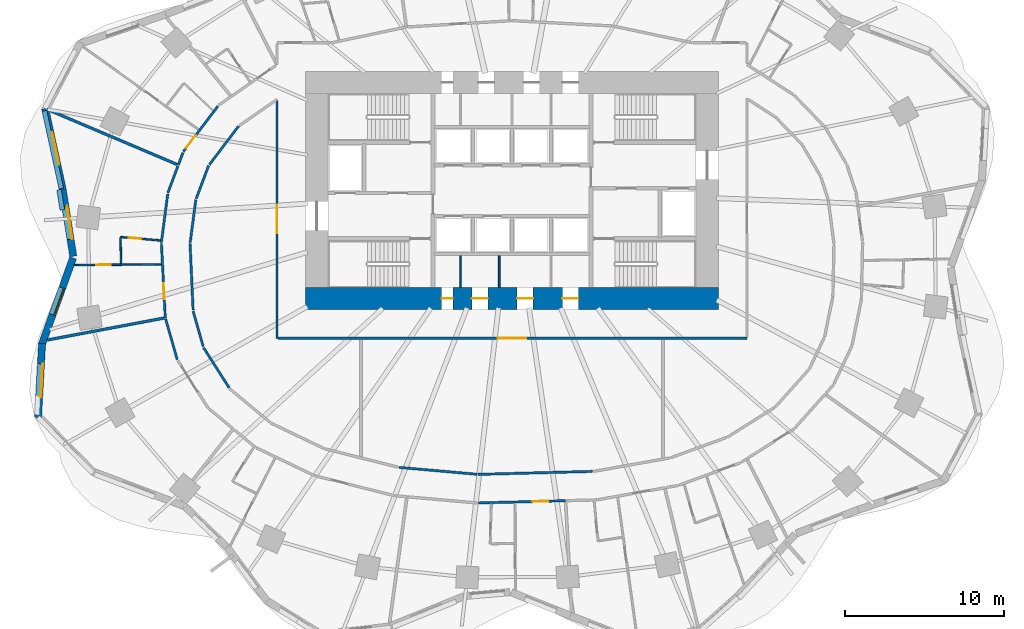
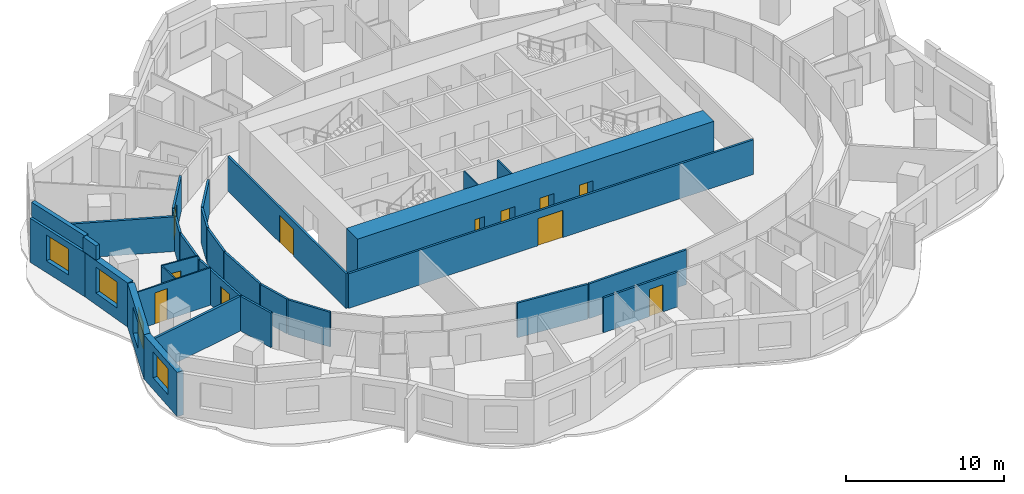
# One storey, part 4 of 11: 31 walls, 11 doors, 4 windows, 15 openings.
"""IFC4 building model written with IfcOpenShell, lengths in metres."""

from ifc_helpers import new_model, si_unit, direction, frame, frame_2d, origin, place, context, subcontext, project, spatial, rectangle, extrude, material, layer, layer_set, type_object, element, fill, save


model = new_model("IFC4")

# Units and contexts
model_context = context("Model", 3, precision=1e-05, world=origin(), true_north=direction((0.0, 1.0)))
body_context = subcontext(model_context, "Body", "Model", "MODEL_VIEW")
ifc_project = project(units=[si_unit("LENGTHUNIT", "METRE"), si_unit("AREAUNIT", "SQUARE_METRE"), si_unit("VOLUMEUNIT", "CUBIC_METRE"), si_unit("PLANEANGLEUNIT", "RADIAN"), si_unit("MASSUNIT", "GRAM", prefix="KILO")], contexts=[model_context])

# Site, building, storey
site_placement = place(None, origin())
site = spatial("IfcSite", under=ifc_project, at=site_placement, CompositionType="ELEMENT")
building_placement = place(site_placement, origin())
building = spatial("IfcBuilding", under=site, at=building_placement, Name="Rubra Terraces Tower", CompositionType="ELEMENT")
storey_placement = place(building_placement, frame((0.0, 0.0, 51.89990234375)))
storey = spatial("IfcBuildingStorey", under=building, at=storey_placement, Name="L10", CompositionType="ELEMENT", Elevation=51.89990234375)

# Walls
ifc_material_1 = material(Name="Twin plasterboard on staggered steel stud, acoustic mineral wool", Category="steel")
ifc_layer_1 = layer(ifc_material_1, 0.175048828125)
ifc_layer_set_1 = layer_set([ifc_layer_1], Name="Twin plasterboard on staggered steel stud, acoustic mineral wool")
wall_type_1 = type_object("IfcWallType", Name="ACOUSTIC PARTY WALL 175", PredefinedType="PARTITIONING", material=ifc_layer_set_1)
wall_1_placement = place(storey_placement, frame((-29.13916015625, 9.557373046875, 0.0), z_axis=(0.0, 0.0, 1.0), x_axis=(0.920652865841, -0.390382249365, 0.0)))
element("IfcWall", 1, at=wall_1_placement, inside=storey, type_object=wall_type_1, Name="PARTITION", PredefinedType="PARTITIONING", context=body_context, shape_type="SweptSolid", body=[
    extrude(rectangle(XDim=8.754150390625, YDim=0.175048828125, at=frame_2d((4.376953125, 0.0))), origin(), (0.0, 0.0, 1.0), 2.68017578125),
])
wall_2_placement = place(storey_placement, frame((-29.256591796875, -4.90966796875, 0.0), z_axis=(0.0, 0.0, 1.0), x_axis=(0.98274893872, 0.184944649677, 0.0)))
element("IfcWall", 2, at=wall_2_placement, inside=storey, type_object=wall_type_1, Name="PARTITION", PredefinedType="PARTITIONING", context=body_context, shape_type="SweptSolid", body=[
    extrude(rectangle(XDim=7.48095703125, YDim=0.175048828125, at=frame_2d((3.740478515625, 0.0))), origin(), (0.0, 0.0, 1.0), 2.68017578125),
])

# Wall, opening, window
ifc_material_2 = material(Name="Brick masonry red-brown", Category="masonry")
ifc_layer_2 = layer(ifc_material_2, 0.449951171875)
ifc_layer_set_2 = layer_set([ifc_layer_2], Name="Brick masonry red-brown")
wall_type_2 = type_object("IfcWallType", Name="Brick facade wall 450", PredefinedType="SOLIDWALL", material=ifc_layer_set_2)
wall_3_placement = place(storey_placement, frame((-29.39697265625, 9.665771484375, 0.0), z_axis=(0.0, 0.0, 1.0), x_axis=(0.211962455994, -0.977277809657, 0.0)))
wall_3 = element("IfcWall", 3, at=wall_3_placement, inside=storey, type_object=wall_type_2, Name="Facade wall L10 bay 19", PredefinedType="SOLIDWALL", context=body_context, shape_type="SweptSolid", body=[
    extrude(rectangle(XDim=5.185546875, YDim=0.449951171875, at=frame_2d((2.5927734375, 0.0))), origin(), (0.0, 0.0, 1.0), 3.400146484375),
])
opening_1_placement = place(wall_3_placement, frame((1.542724609375, 0.0, 0.89990234375)))
opening_1 = element("IfcOpeningElement", 4, at=opening_1_placement, cuts=wall_3, Name="Opening W1", PredefinedType="OPENING", context=body_context, shape_type="SweptSolid", body=[
    extrude(rectangle(XDim=2.10009765625, YDim=2.0, at=frame_2d((1.050048828125, 1.0))), frame((0.0, 0.23486328125, 0.0), z_axis=(0.0, -1.0, 0.0), x_axis=(1.0, 0.0, 0.0)), (0.0, 0.0, 1.0), 0.469970703125),
])
ifc_material_3 = material(Name="Clear glass in aluminium frame", Category="aluminium")
window_type_1 = type_object("IfcWindowType", Name="Fixed deep-set window 2100 x 2000", PartitioningType="SINGLE_PANEL", PredefinedType="WINDOW", material=ifc_material_3)
window_1_placement = place(opening_1_placement, origin())
window_1 = element("IfcWindow", 5, at=window_1_placement, inside=storey, type_object=window_type_1, Name="Window L10 bay 19", OverallHeight=2.0, OverallWidth=2.10009765625, PartitioningType="SINGLE_PANEL", PredefinedType="WINDOW", context=body_context, shape_type="SweptSolid", body=[
    extrude(rectangle(XDim=2.10009765625, YDim=2.0, at=frame_2d((1.050048828125, 1.0))), frame((0.0, 0.135009765625, 0.0), z_axis=(0.0, -1.0, 0.0), x_axis=(1.0, 0.0, 0.0)), (0.0, 0.0, 1.0), 0.06005859375),
])
fill(opening_1, window_1)

wall_4_placement = place(storey_placement, frame((-28.295654296875, 4.584228515625, 0.0), z_axis=(0.0, 0.0, 1.0), x_axis=(0.156402397796, -0.987693419014, 0.0)))
wall_4 = element("IfcWall", 6, at=wall_4_placement, inside=storey, type_object=wall_type_2, Name="Facade wall L10 bay 20", PredefinedType="SOLIDWALL", context=body_context, shape_type="SweptSolid", body=[
    extrude(rectangle(XDim=4.275634765625, YDim=0.449951171875, at=frame_2d((2.1376953125, 0.0))), origin(), (0.0, 0.0, 1.0), 3.400146484375),
])
opening_2_placement = place(wall_4_placement, frame((1.087890625, 0.0, 0.89990234375)))
opening_2 = element("IfcOpeningElement", 7, at=opening_2_placement, cuts=wall_4, Name="Opening W1", PredefinedType="OPENING", context=body_context, shape_type="SweptSolid", body=[
    extrude(rectangle(XDim=2.10009765625, YDim=2.0, at=frame_2d((1.050048828125, 1.0))), frame((0.0, 0.23486328125, 0.0), z_axis=(0.0, -1.0, 0.0), x_axis=(1.0, 0.0, 0.0)), (0.0, 0.0, 1.0), 0.469970703125),
])
window_2_placement = place(opening_2_placement, origin())
window_2 = element("IfcWindow", 8, at=window_2_placement, inside=storey, type_object=window_type_1, Name="Window L10 bay 20", OverallHeight=2.0, OverallWidth=2.10009765625, PartitioningType="SINGLE_PANEL", PredefinedType="WINDOW", context=body_context, shape_type="SweptSolid", body=[
    extrude(rectangle(XDim=2.10009765625, YDim=2.0, at=frame_2d((1.050048828125, 1.0))), frame((0.0, 0.135009765625, 0.0), z_axis=(0.0, -1.0, 0.0), x_axis=(1.0, 0.0, 0.0)), (0.0, 0.0, 1.0), 0.06005859375),
])
fill(opening_2, window_2)

wall_5_placement = place(storey_placement, frame((-27.638427734375, 0.25732421875, 0.0), z_axis=(0.0, 0.0, 1.0), x_axis=(-0.338914809068, -0.940817066275, 0.0)))
wall_5 = element("IfcWall", 9, at=wall_5_placement, inside=storey, type_object=wall_type_2, Name="Facade wall L10 bay 21", PredefinedType="SOLIDWALL", context=body_context, shape_type="SweptSolid", body=[
    extrude(rectangle(XDim=5.79736328125, YDim=0.449951171875, at=frame_2d((2.898681640625, 0.0))), origin(), (0.0, 0.0, 1.0), 3.400146484375),
])
opening_3_placement = place(wall_5_placement, frame((1.99853515625, 0.0, 0.89990234375)))
opening_3 = element("IfcOpeningElement", 10, at=opening_3_placement, cuts=wall_5, Name="Opening W6", PredefinedType="OPENING", context=body_context, shape_type="SweptSolid", body=[
    extrude(rectangle(XDim=1.800048828125, YDim=2.0, at=frame_2d((0.89990234375, 1.0))), frame((0.0, 0.23486328125, 0.0), z_axis=(0.0, -1.0, 0.0), x_axis=(1.0, 0.0, 0.0)), (0.0, 0.0, 1.0), 0.469970703125),
])
window_type_2 = type_object("IfcWindowType", Name="Fixed deep-set window at wind fin 1800 x 2000", PartitioningType="SINGLE_PANEL", PredefinedType="WINDOW", material=ifc_material_3)
window_3_placement = place(opening_3_placement, origin())
window_3 = element("IfcWindow", 11, at=window_3_placement, inside=storey, type_object=window_type_2, Name="Window L10 bay 21", OverallHeight=2.0, OverallWidth=1.800048828125, PartitioningType="SINGLE_PANEL", PredefinedType="WINDOW", context=body_context, shape_type="SweptSolid", body=[
    extrude(rectangle(XDim=1.800048828125, YDim=2.0, at=frame_2d((0.89990234375, 1.0))), frame((0.0, 0.135009765625, 0.0), z_axis=(0.0, -1.0, 0.0), x_axis=(1.0, 0.0, 0.0)), (0.0, 0.0, 1.0), 0.06005859375),
])
fill(opening_3, window_3)

wall_6_placement = place(storey_placement, frame((-29.59033203125, -5.1328125, 0.0), z_axis=(0.0, 0.0, 1.0), x_axis=(-0.054738225791, -0.998500739427, 0.0)))
wall_6 = element("IfcWall", 12, at=wall_6_placement, inside=storey, type_object=wall_type_2, Name="Facade wall L10 bay 22", PredefinedType="SOLIDWALL", context=body_context, shape_type="SweptSolid", body=[
    extrude(rectangle(XDim=4.656494140625, YDim=0.449951171875, at=frame_2d((2.328125, 0.0))), origin(), (0.0, 0.0, 1.0), 3.400146484375),
])
opening_4_placement = place(wall_6_placement, frame((1.2783203125, 0.0, 0.89990234375)))
opening_4 = element("IfcOpeningElement", 13, at=opening_4_placement, cuts=wall_6, Name="Opening W1", PredefinedType="OPENING", context=body_context, shape_type="SweptSolid", body=[
    extrude(rectangle(XDim=2.10009765625, YDim=2.0, at=frame_2d((1.050048828125, 1.0))), frame((0.0, 0.23486328125, 0.0), z_axis=(0.0, -1.0, 0.0), x_axis=(1.0, 0.0, 0.0)), (0.0, 0.0, 1.0), 0.469970703125),
])
window_4_placement = place(opening_4_placement, origin())
window_4 = element("IfcWindow", 14, at=window_4_placement, inside=storey, type_object=window_type_1, Name="Window L10 bay 22", OverallHeight=2.0, OverallWidth=2.10009765625, PartitioningType="SINGLE_PANEL", PredefinedType="WINDOW", context=body_context, shape_type="SweptSolid", body=[
    extrude(rectangle(XDim=2.10009765625, YDim=2.0, at=frame_2d((1.050048828125, 1.0))), frame((0.0, 0.135009765625, 0.0), z_axis=(0.0, -1.0, 0.0), x_axis=(1.0, 0.0, 0.0)), (0.0, 0.0, 1.0), 0.06005859375),
])
fill(opening_4, window_4)

# Walls
ifc_layer_3 = layer(ifc_material_2, 0.300048828125)
ifc_layer_set_3 = layer_set([ifc_layer_3], Name="Brick masonry red-brown")
wall_type_3 = type_object("IfcWallType", Name="Brick parapet 300", PredefinedType="PARAPET", material=ifc_layer_set_3)
wall_7_placement = place(storey_placement, frame((-29.44189453125, 9.519775390625, 3.60009765625), z_axis=(0.0, 0.0, 1.0), x_axis=(0.211918382355, -0.977287367779, 0.0)))
element("IfcWall", 15, at=wall_7_placement, inside=storey, type_object=wall_type_3, Name="Parapet L10 bay 19", PredefinedType="PARAPET", context=body_context, shape_type="SweptSolid", body=[
    extrude(rectangle(XDim=5.01611328125, YDim=0.300048828125, at=frame_2d((2.508056640625, 0.0))), origin(), (0.0, 0.0, 1.0), 1.10009765625),
])
wall_8_placement = place(storey_placement, frame((-28.51904296875, 4.556396484375, 3.60009765625), z_axis=(0.0, 0.0, 1.0), x_axis=(0.156466543472, -0.987683259337, 0.0)))
element("IfcWall", 16, at=wall_8_placement, inside=storey, type_object=wall_type_3, Name="Parapet L10 bay 20", PredefinedType="PARAPET", context=body_context, shape_type="SweptSolid", body=[
    extrude(rectangle(XDim=1.29345703125, YDim=0.300048828125, at=frame_2d((0.646728515625, 0.0))), origin(), (0.0, 0.0, 1.0), 1.10009765625),
])

# Wall, openings, doors
ifc_material_4 = material(Name="Concrete C70", Category="concrete")
ifc_layer_4 = layer(ifc_material_4, 1.39990234375)
ifc_layer_set_4 = layer_set([ifc_layer_4], Name="Concrete C70")
wall_type_4 = type_object("IfcWallType", Name="CORE WALL 1400 C70", PredefinedType="SHEAR", material=ifc_layer_set_4)
wall_9_placement = place(storey_placement, frame((-13.0, -2.300048828125, 0.0), z_axis=(0.0, 0.0, 1.0), x_axis=(1.0, 0.0, 0.0)))
wall_9 = element("IfcWall", 17, at=wall_9_placement, inside=storey, type_object=wall_type_4, Name="CORE WALL S L10", PredefinedType="SHEAR", context=body_context, shape_type="SweptSolid", body=[
    extrude(rectangle(XDim=26.0, YDim=1.39990234375, at=frame_2d((13.0, 0.0))), origin(), (0.0, 0.0, 1.0), 3.60009765625),
])
opening_5_placement = place(wall_9_placement, frame((8.574951171875, 0.0, 0.0)))
opening_5 = element("IfcOpeningElement", 18, at=opening_5_placement, cuts=wall_9, Name="Opening L10.C19", PredefinedType="OPENING", context=body_context, shape_type="SweptSolid", body=[
    extrude(rectangle(XDim=0.699951171875, YDim=2.10009765625, at=frame_2d((0.35009765625, 1.050048828125))), frame((0.0, 0.7099609375, 0.0), z_axis=(0.0, -1.0, 0.0), x_axis=(1.0, 0.0, 0.0)), (0.0, 0.0, 1.0), 1.419921875),
])
opening_6_placement = place(wall_9_placement, frame((10.47509765625, 0.0, 0.0)))
opening_6 = element("IfcOpeningElement", 19, at=opening_6_placement, cuts=wall_9, Name="Opening L10.C20", PredefinedType="OPENING", context=body_context, shape_type="SweptSolid", body=[
    extrude(rectangle(XDim=1.0, YDim=2.10009765625, at=frame_2d((0.5, 1.050048828125))), frame((0.0, 0.7099609375, 0.0), z_axis=(0.0, -1.0, 0.0), x_axis=(1.0, 0.0, 0.0)), (0.0, 0.0, 1.0), 1.419921875),
])
opening_7_placement = place(wall_9_placement, frame((13.324951171875, 0.0, 0.0)))
opening_7 = element("IfcOpeningElement", 20, at=opening_7_placement, cuts=wall_9, Name="Opening L10.C21", PredefinedType="OPENING", context=body_context, shape_type="SweptSolid", body=[
    extrude(rectangle(XDim=1.0, YDim=2.10009765625, at=frame_2d((0.5, 1.050048828125))), frame((0.0, 0.7099609375, 0.0), z_axis=(0.0, -1.0, 0.0), x_axis=(1.0, 0.0, 0.0)), (0.0, 0.0, 1.0), 1.419921875),
])
opening_8_placement = place(wall_9_placement, frame((16.175048828125, 0.0, 0.0)))
opening_8 = element("IfcOpeningElement", 21, at=opening_8_placement, cuts=wall_9, Name="Opening L10.C22", PredefinedType="OPENING", context=body_context, shape_type="SweptSolid", body=[
    extrude(rectangle(XDim=1.0, YDim=2.10009765625, at=frame_2d((0.5, 1.050048828125))), frame((0.0, 0.7099609375, 0.0), z_axis=(0.0, -1.0, 0.0), x_axis=(1.0, 0.0, 0.0)), (0.0, 0.0, 1.0), 1.419921875),
])
ifc_material_5 = material(Name="Painted steel", Category="steel")
door_type_1 = type_object("IfcDoorType", Name="Fire door 1000x2100 single", OperationType="NOTDEFINED", PredefinedType="DOOR", material=ifc_material_5)
door_1_placement = place(opening_6_placement, origin())
door_1 = element("IfcDoor", 22, at=door_1_placement, inside=storey, type_object=door_type_1, Name="Housekeeping store door", OperationType="SINGLE_SWING_RIGHT", OverallHeight=2.10009765625, OverallWidth=1.0, PredefinedType="DOOR", context=body_context, shape_type="SweptSolid", body=[
    extrude(rectangle(XDim=1.0, YDim=2.10009765625, at=frame_2d((0.5, 1.050048828125))), frame((0.0, 0.02490234375, 0.0), z_axis=(0.0, -1.0, 0.0), x_axis=(1.0, 0.0, 0.0)), (0.0, 0.0, 1.0), 0.050048828125),
])
fill(opening_6, door_1)
door_2_placement = place(opening_7_placement, origin())
door_2 = element("IfcDoor", 23, at=door_2_placement, inside=storey, type_object=door_type_1, Name="Guest pantry door", OperationType="SINGLE_SWING_LEFT", OverallHeight=2.10009765625, OverallWidth=1.0, PredefinedType="DOOR", context=body_context, shape_type="SweptSolid", body=[
    extrude(rectangle(XDim=1.0, YDim=2.10009765625, at=frame_2d((0.5, 1.050048828125))), frame((0.0, 0.02490234375, 0.0), z_axis=(0.0, -1.0, 0.0), x_axis=(1.0, 0.0, 0.0)), (0.0, 0.0, 1.0), 0.050048828125),
])
fill(opening_7, door_2)
door_3_placement = place(opening_8_placement, origin())
door_3 = element("IfcDoor", 24, at=door_3_placement, inside=storey, type_object=door_type_1, Name="Accessible WC door", OperationType="SINGLE_SWING_RIGHT", OverallHeight=2.10009765625, OverallWidth=1.0, PredefinedType="DOOR", context=body_context, shape_type="SweptSolid", body=[
    extrude(rectangle(XDim=1.0, YDim=2.10009765625, at=frame_2d((0.5, 1.050048828125))), frame((0.0, 0.02490234375, 0.0), z_axis=(0.0, -1.0, 0.0), x_axis=(1.0, 0.0, 0.0)), (0.0, 0.0, 1.0), 0.050048828125),
])
fill(opening_8, door_3)
door_type_2 = type_object("IfcDoorType", Name="Riser access door 700x2100 single", OperationType="NOTDEFINED", PredefinedType="DOOR", material=ifc_material_5)
door_4_placement = place(opening_5_placement, origin())
door_4 = element("IfcDoor", 25, at=door_4_placement, inside=storey, type_object=door_type_2, Name="Electrical riser room door", OperationType="SINGLE_SWING_LEFT", OverallHeight=2.10009765625, OverallWidth=0.699951171875, PredefinedType="DOOR", context=body_context, shape_type="SweptSolid", body=[
    extrude(rectangle(XDim=0.699951171875, YDim=2.10009765625, at=frame_2d((0.35009765625, 1.050048828125))), frame((0.0, 0.02490234375, 0.0), z_axis=(0.0, -1.0, 0.0), x_axis=(1.0, 0.0, 0.0)), (0.0, 0.0, 1.0), 0.050048828125),
])
fill(opening_5, door_4)

# Wall, opening, door
ifc_material_6 = material(Name="Plasterboard on steel stud, mineral wool infill", Category="steel")
ifc_layer_5 = layer(ifc_material_6, 0.14990234375)
ifc_layer_set_5 = layer_set([ifc_layer_5], Name="Plasterboard on steel stud, mineral wool infill")
wall_type_5 = type_object("IfcWallType", Name="CORRIDOR PARTITION 150", PredefinedType="PARTITIONING", material=ifc_layer_set_5)
wall_10_placement = place(storey_placement, frame((-18.52294921875, 9.811279296875, 0.0), z_axis=(0.0, 0.0, 1.0), x_axis=(-0.605040130963, -0.796194976073, 0.0)))
wall_10 = element("IfcWall", 26, at=wall_10_placement, inside=storey, type_object=wall_type_5, Name="PARTITION", PredefinedType="PARTITIONING", context=body_context, shape_type="SweptSolid", body=[
    extrude(rectangle(XDim=3.587646484375, YDim=0.14990234375, at=frame_2d((1.7939453125, 0.0))), origin(), (0.0, 0.0, 1.0), 2.68017578125),
])
opening_9_placement = place(wall_10_placement, frame((2.300048828125, 0.0, 0.0)))
opening_9 = element("IfcOpeningElement", 27, at=opening_9_placement, cuts=wall_10, Name="Opening 10-108", PredefinedType="OPENING", context=body_context, shape_type="SweptSolid", body=[
    extrude(rectangle(XDim=1.0, YDim=2.10009765625, at=frame_2d((0.5, 1.050048828125))), frame((0.0, 0.0849609375, 0.0), z_axis=(0.0, -1.0, 0.0), x_axis=(1.0, 0.0, 0.0)), (0.0, 0.0, 1.0), 0.169921875),
])
ifc_material_7 = material(Name="Painted timber door leaf", Category="wood")
door_type_3 = type_object("IfcDoorType", Name="ROOM DOOR 1000 X 2100", OperationType="SINGLE_SWING_LEFT", PredefinedType="DOOR", material=ifc_material_7)
door_5_placement = place(opening_9_placement, origin())
door_5 = element("IfcDoor", 28, at=door_5_placement, inside=storey, type_object=door_type_3, Name="DOOR 10-108", OperationType="SINGLE_SWING_RIGHT", OverallHeight=2.10009765625, OverallWidth=1.0, PredefinedType="DOOR", context=body_context, shape_type="SweptSolid", body=[
    extrude(rectangle(XDim=1.0, YDim=2.10009765625, at=frame_2d((0.5, 1.050048828125))), frame((0.0, 0.02490234375, 0.0), z_axis=(0.0, -1.0, 0.0), x_axis=(1.0, 0.0, 0.0)), (0.0, 0.0, 1.0), 0.050048828125),
])
fill(opening_9, door_5)

# Walls
wall_11_placement = place(storey_placement, frame((-20.719970703125, 6.884521484375, 0.0), z_axis=(0.0, 0.0, 1.0), x_axis=(-0.351447073955, -0.936207751628, 0.0)))
element("IfcWall", 29, at=wall_11_placement, inside=storey, type_object=wall_type_5, Name="PARTITION", PredefinedType="PARTITIONING", context=body_context, shape_type="SweptSolid", body=[
    extrude(rectangle(XDim=0.82666015625, YDim=0.14990234375, at=frame_2d((0.413330078125, 0.0))), origin(), (0.0, 0.0, 1.0), 2.68017578125),
])
wall_12_placement = place(storey_placement, frame((-21.037109375, 6.040283203125, 0.0), z_axis=(0.0, 0.0, 1.0), x_axis=(-0.351451209017, -0.936206199339, 0.0)))
element("IfcWall", 30, at=wall_12_placement, inside=storey, type_object=wall_type_5, Name="PARTITION", PredefinedType="PARTITIONING", context=body_context, shape_type="SweptSolid", body=[
    extrude(rectangle(XDim=1.795654296875, YDim=0.14990234375, at=frame_2d((0.89794921875, 0.0))), origin(), (0.0, 0.0, 1.0), 2.68017578125),
])
wall_13_placement = place(storey_placement, frame((-21.677978515625, 4.28466796875, 0.0), z_axis=(0.0, 0.0, 1.0), x_axis=(-0.129922755307, -0.991524118543, 0.0)))
element("IfcWall", 31, at=wall_13_placement, inside=storey, type_object=wall_type_5, Name="PARTITION", PredefinedType="PARTITIONING", context=body_context, shape_type="SweptSolid", body=[
    extrude(rectangle(XDim=3.076171875, YDim=0.14990234375, at=frame_2d((1.5380859375, 0.0))), origin(), (0.0, 0.0, 1.0), 2.68017578125),
])

# Wall, opening, door
wall_14_placement = place(storey_placement, frame((-22.07373046875, 1.159912109375, 0.0), z_axis=(0.0, 0.0, 1.0), x_axis=(0.051819296774, -0.998656477715, 0.0)))
wall_14 = element("IfcWall", 32, at=wall_14_placement, inside=storey, type_object=wall_type_5, Name="PARTITION", PredefinedType="PARTITIONING", context=body_context, shape_type="SweptSolid", body=[
    extrude(rectangle(XDim=4.678466796875, YDim=0.14990234375, at=frame_2d((2.33935546875, 0.0))), origin(), (0.0, 0.0, 1.0), 2.68017578125),
])
opening_10_placement = place(wall_14_placement, frame((2.4951171875, 0.0, 0.0)))
opening_10 = element("IfcOpeningElement", 33, at=opening_10_placement, cuts=wall_14, Name="Opening 10-111", PredefinedType="OPENING", context=body_context, shape_type="SweptSolid", body=[
    extrude(rectangle(XDim=1.0, YDim=2.10009765625, at=frame_2d((0.5, 1.050048828125))), frame((0.0, 0.0849609375, 0.0), z_axis=(0.0, -1.0, 0.0), x_axis=(1.0, 0.0, 0.0)), (0.0, 0.0, 1.0), 0.169921875),
])
door_6_placement = place(opening_10_placement, origin())
door_6 = element("IfcDoor", 34, at=door_6_placement, inside=storey, type_object=door_type_3, Name="DOOR 10-111", OperationType="SINGLE_SWING_RIGHT", OverallHeight=2.10009765625, OverallWidth=1.0, PredefinedType="DOOR", context=body_context, shape_type="SweptSolid", body=[
    extrude(rectangle(XDim=1.0, YDim=2.10009765625, at=frame_2d((0.5, 1.050048828125))), frame((0.0, 0.02490234375, 0.0), z_axis=(0.0, -1.0, 0.0), x_axis=(1.0, 0.0, 0.0)), (0.0, 0.0, 1.0), 0.050048828125),
])
fill(opening_10, door_6)

# Wall
wall_15_placement = place(storey_placement, frame((-21.810546875, -3.584228515625, 0.0), z_axis=(0.0, 0.0, 1.0), x_axis=(0.274806127173, -0.96149965807, 0.0)))
element("IfcWall", 35, at=wall_15_placement, inside=storey, type_object=wall_type_5, Name="PARTITION", PredefinedType="PARTITIONING", context=body_context, shape_type="SweptSolid", body=[
    extrude(rectangle(XDim=2.655517578125, YDim=0.14990234375, at=frame_2d((1.32763671875, 0.0))), origin(), (0.0, 0.0, 1.0), 2.68017578125),
])

# Wall, opening, door
wall_16_placement = place(storey_placement, frame((-2.114013671875, -15.170166015625, 0.0), z_axis=(0.0, 0.0, 1.0), x_axis=(0.999662545619, 0.025976814392, 0.0)))
wall_16 = element("IfcWall", 36, at=wall_16_placement, inside=storey, type_object=wall_type_5, Name="PARTITION", PredefinedType="PARTITIONING", context=body_context, shape_type="SweptSolid", body=[
    extrude(rectangle(XDim=5.48876953125, YDim=0.14990234375, at=frame_2d((2.744384765625, 0.0))), origin(), (0.0, 0.0, 1.0), 2.68017578125),
])
opening_11_placement = place(wall_16_placement, frame((3.402099609375, 0.0, 0.0)))
opening_11 = element("IfcOpeningElement", 37, at=opening_11_placement, cuts=wall_16, Name="Opening 10-118", PredefinedType="OPENING", context=body_context, shape_type="SweptSolid", body=[
    extrude(rectangle(XDim=1.0, YDim=2.10009765625, at=frame_2d((0.5, 1.050048828125))), frame((0.0, 0.0849609375, 0.0), z_axis=(0.0, -1.0, 0.0), x_axis=(1.0, 0.0, 0.0)), (0.0, 0.0, 1.0), 0.169921875),
])
door_7_placement = place(opening_11_placement, origin())
door_7 = element("IfcDoor", 38, at=door_7_placement, inside=storey, type_object=door_type_3, Name="DOOR 10-118", OperationType="SINGLE_SWING_RIGHT", OverallHeight=2.10009765625, OverallWidth=1.0, PredefinedType="DOOR", context=body_context, shape_type="SweptSolid", body=[
    extrude(rectangle(XDim=1.0, YDim=2.10009765625, at=frame_2d((0.5, 1.050048828125))), frame((0.0, 0.02490234375, 0.0), z_axis=(0.0, -1.0, 0.0), x_axis=(1.0, 0.0, 0.0)), (0.0, 0.0, 1.0), 0.050048828125),
])
fill(opening_11, door_7)

# Walls
wall_17_placement = place(storey_placement, frame((5.08203125, -13.182373046875, 0.0), z_axis=(0.0, 0.0, 1.0), x_axis=(-0.999661624383, -0.026012242045, 0.0)))
element("IfcWall", 39, at=wall_17_placement, inside=storey, type_object=wall_type_5, Name="PARTITION", PredefinedType="PARTITIONING", context=body_context, shape_type="SweptSolid", body=[
    extrude(rectangle(XDim=7.217529296875, YDim=0.14990234375, at=frame_2d((3.60888671875, 0.0))), origin(), (0.0, 0.0, 1.0), 2.68017578125),
])
wall_18_placement = place(storey_placement, frame((-2.207763671875, -13.363525390625, 0.0), z_axis=(0.0, 0.0, 1.0), x_axis=(-0.996134962793, 0.087835846335, 0.0)))
element("IfcWall", 40, at=wall_18_placement, inside=storey, type_object=wall_type_5, Name="PARTITION", PredefinedType="PARTITIONING", context=body_context, shape_type="SweptSolid", body=[
    extrude(rectangle(XDim=4.9169921875, YDim=0.14990234375, at=frame_2d((2.45849609375, 0.0))), origin(), (0.0, 0.0, 1.0), 2.68017578125),
])
wall_19_placement = place(storey_placement, frame((-17.805419921875, -7.925537109375, 0.0), z_axis=(0.0, 0.0, 1.0), x_axis=(-0.537721158465, 0.843122740613, 0.0)))
element("IfcWall", 41, at=wall_19_placement, inside=storey, type_object=wall_type_5, Name="PARTITION", PredefinedType="PARTITIONING", context=body_context, shape_type="SweptSolid", body=[
    extrude(rectangle(XDim=3.006591796875, YDim=0.14990234375, at=frame_2d((1.50341796875, 0.0))), origin(), (0.0, 0.0, 1.0), 2.68017578125),
])
wall_20_placement = place(storey_placement, frame((-19.44287109375, -5.318603515625, 0.0), z_axis=(0.0, 0.0, 1.0), x_axis=(-0.274791002319, 0.961503980774, 0.0)))
element("IfcWall", 42, at=wall_20_placement, inside=storey, type_object=wall_type_5, Name="PARTITION", PredefinedType="PARTITIONING", context=body_context, shape_type="SweptSolid", body=[
    extrude(rectangle(XDim=2.307373046875, YDim=0.14990234375, at=frame_2d((1.15380859375, 0.0))), origin(), (0.0, 0.0, 1.0), 2.68017578125),
])
wall_21_placement = place(storey_placement, frame((-20.080322265625, -3.025390625, 0.0), z_axis=(0.0, 0.0, 1.0), x_axis=(-0.04581750387, 0.998949826738, 0.0)))
element("IfcWall", 43, at=wall_21_placement, inside=storey, type_object=wall_type_5, Name="PARTITION", PredefinedType="PARTITIONING", context=body_context, shape_type="SweptSolid", body=[
    extrude(rectangle(XDim=4.188232421875, YDim=0.14990234375, at=frame_2d((2.09423828125, 0.0))), origin(), (0.0, 0.0, 1.0), 2.68017578125),
])
wall_22_placement = place(storey_placement, frame((-20.262451171875, 1.23291015625, 0.0), z_axis=(0.0, 0.0, 1.0), x_axis=(0.129897568593, 0.991527418518, 0.0)))
element("IfcWall", 44, at=wall_22_placement, inside=storey, type_object=wall_type_5, Name="PARTITION", PredefinedType="PARTITIONING", context=body_context, shape_type="SweptSolid", body=[
    extrude(rectangle(XDim=2.710205078125, YDim=0.14990234375, at=frame_2d((1.35498046875, 0.0))), origin(), (0.0, 0.0, 1.0), 2.68017578125),
])
wall_23_placement = place(storey_placement, frame((-19.8837890625, 3.990234375, 0.0), z_axis=(0.0, 0.0, 1.0), x_axis=(0.351423736928, 0.936216511884, 0.0)))
element("IfcWall", 45, at=wall_23_placement, inside=storey, type_object=wall_type_5, Name="PARTITION", PredefinedType="PARTITIONING", context=body_context, shape_type="SweptSolid", body=[
    extrude(rectangle(XDim=2.227294921875, YDim=0.14990234375, at=frame_2d((1.11376953125, 0.0))), origin(), (0.0, 0.0, 1.0), 2.68017578125),
])
wall_24_placement = place(storey_placement, frame((-19.0556640625, 6.135009765625, 0.0), z_axis=(0.0, 0.0, 1.0), x_axis=(0.604999774258, 0.796225642107, 0.0)))
element("IfcWall", 46, at=wall_24_placement, inside=storey, type_object=wall_type_5, Name="PARTITION", PredefinedType="PARTITIONING", context=body_context, shape_type="SweptSolid", body=[
    extrude(rectangle(XDim=3.039794921875, YDim=0.14990234375, at=frame_2d((1.52001953125, 0.0))), origin(), (0.0, 0.0, 1.0), 2.68017578125),
])

# Wall, opening, door
wall_25_placement = place(storey_placement, frame((-14.800048828125, 10.159912109375, 0.0), z_axis=(0.0, 0.0, 1.0), x_axis=(0.0, -1.0, 0.0)))
wall_25 = element("IfcWall", 47, at=wall_25_placement, inside=storey, type_object=wall_type_5, Name="PARTITION", PredefinedType="PARTITIONING", context=body_context, shape_type="SweptSolid", body=[
    extrude(rectangle(XDim=14.9599609375, YDim=0.14990234375, at=frame_2d((7.47998046875, 0.0))), origin(), (0.0, 0.0, 1.0), 2.68017578125),
])
opening_12_placement = place(wall_25_placement, frame((6.5419921875, 0.0, 0.0)))
opening_12 = element("IfcOpeningElement", 48, at=opening_12_placement, cuts=wall_25, Name="Opening 10-135", PredefinedType="OPENING", context=body_context, shape_type="SweptSolid", body=[
    extrude(rectangle(XDim=1.800048828125, YDim=2.10009765625, at=frame_2d((0.89990234375, 1.050048828125))), frame((0.0, 0.0849609375, 0.0), z_axis=(0.0, -1.0, 0.0), x_axis=(1.0, 0.0, 0.0)), (0.0, 0.0, 1.0), 0.169921875),
])
ifc_material_8 = material(Name="Painted timber door leaf, double", Category="wood")
door_type_4 = type_object("IfcDoorType", Name="ROOM DOUBLE DOOR 1800 X 2100", OperationType="DOUBLE_DOOR_SINGLE_SWING", PredefinedType="DOOR", material=ifc_material_8)
door_8_placement = place(opening_12_placement, origin())
door_8 = element("IfcDoor", 49, at=door_8_placement, inside=storey, type_object=door_type_4, Name="DOOR 10-135", OperationType="DOUBLE_DOOR_SINGLE_SWING", OverallHeight=2.10009765625, OverallWidth=1.800048828125, PredefinedType="DOOR", context=body_context, shape_type="SweptSolid", body=[
    extrude(rectangle(XDim=1.800048828125, YDim=2.10009765625, at=frame_2d((0.89990234375, 1.050048828125))), frame((0.0, 0.02490234375, 0.0), z_axis=(0.0, -1.0, 0.0), x_axis=(1.0, 0.0, 0.0)), (0.0, 0.0, 1.0), 0.050048828125),
])
fill(opening_12, door_8)

wall_26_placement = place(storey_placement, frame((-14.72509765625, -4.800048828125, 0.0), z_axis=(0.0, 0.0, 1.0), x_axis=(1.0, 0.0, 0.0)))
wall_26 = element("IfcWall", 50, at=wall_26_placement, inside=storey, type_object=wall_type_5, Name="PARTITION", PredefinedType="PARTITIONING", context=body_context, shape_type="SweptSolid", body=[
    extrude(rectangle(XDim=29.525146484375, YDim=0.14990234375, at=frame_2d((14.7626953125, 0.0))), origin(), (0.0, 0.0, 1.0), 2.68017578125),
])
opening_13_placement = place(wall_26_placement, frame((13.824951171875, 0.0, 0.0)))
opening_13 = element("IfcOpeningElement", 51, at=opening_13_placement, cuts=wall_26, Name="Opening 10-136", PredefinedType="OPENING", context=body_context, shape_type="SweptSolid", body=[
    extrude(rectangle(XDim=1.800048828125, YDim=2.10009765625, at=frame_2d((0.89990234375, 1.050048828125))), frame((0.0, 0.0849609375, 0.0), z_axis=(0.0, -1.0, 0.0), x_axis=(1.0, 0.0, 0.0)), (0.0, 0.0, 1.0), 0.169921875),
])
door_9_placement = place(opening_13_placement, origin())
door_9 = element("IfcDoor", 52, at=door_9_placement, inside=storey, type_object=door_type_4, Name="DOOR 10-136", OperationType="DOUBLE_DOOR_SINGLE_SWING", OverallHeight=2.10009765625, OverallWidth=1.800048828125, PredefinedType="DOOR", context=body_context, shape_type="SweptSolid", body=[
    extrude(rectangle(XDim=1.800048828125, YDim=2.10009765625, at=frame_2d((0.89990234375, 1.050048828125))), frame((0.0, 0.02490234375, 0.0), z_axis=(0.0, -1.0, 0.0), x_axis=(1.0, 0.0, 0.0)), (0.0, 0.0, 1.0), 0.050048828125),
])
fill(opening_13, door_9)

ifc_material_9 = material(Name="Plasterboard on steel stud", Category="steel")
ifc_layer_6 = layer(ifc_material_9, 0.10009765625)
ifc_layer_set_6 = layer_set([ifc_layer_6], Name="Plasterboard on steel stud")
wall_type_6 = type_object("IfcWallType", Name="ROOM PARTITION 100", PredefinedType="PARTITIONING", material=ifc_layer_set_6)
wall_27_placement = place(storey_placement, frame((-27.56103515625, -0.191650390625, 0.0), z_axis=(0.0, 0.0, 1.0), x_axis=(0.999968109942, 0.007986181755, 0.0)))
wall_27 = element("IfcWall", 53, at=wall_27_placement, inside=storey, type_object=wall_type_6, Name="PARTITION", PredefinedType="PARTITIONING", context=body_context, shape_type="SweptSolid", body=[
    extrude(rectangle(XDim=5.47216796875, YDim=0.10009765625, at=frame_2d((2.736083984375, 0.0))), origin(), (0.0, 0.0, 1.0), 2.898193359375),
])
opening_14_placement = place(wall_27_placement, frame((1.39697265625, 0.0, 0.0)))
opening_14 = element("IfcOpeningElement", 54, at=opening_14_placement, cuts=wall_27, Name="Opening 10-110", PredefinedType="OPENING", context=body_context, shape_type="SweptSolid", body=[
    extrude(rectangle(XDim=0.89990234375, YDim=2.39990234375, at=frame_2d((0.449951171875, 1.199951171875))), frame((0.0, 0.06005859375, 0.0), z_axis=(0.0, -1.0, 0.0), x_axis=(1.0, 0.0, 0.0)), (0.0, 0.0, 1.0), 0.1201171875),
])
ifc_material_10 = material(Name="Veneered timber door leaf, fire-rated", Category="wood")
door_type_5 = type_object("IfcDoorType", Name="SUITE ENTRANCE DOOR 900 X 2400", OperationType="SINGLE_SWING_LEFT", PredefinedType="DOOR", material=ifc_material_10)
door_10_placement = place(opening_14_placement, origin())
door_10 = element("IfcDoor", 55, at=door_10_placement, inside=storey, type_object=door_type_5, Name="DOOR 10-110", OperationType="SINGLE_SWING_LEFT", OverallHeight=2.39990234375, OverallWidth=0.89990234375, PredefinedType="DOOR", context=body_context, shape_type="SweptSolid", body=[
    extrude(rectangle(XDim=0.89990234375, YDim=2.39990234375, at=frame_2d((0.449951171875, 1.199951171875))), frame((0.0, 0.02490234375, 0.0), z_axis=(0.0, -1.0, 0.0), x_axis=(1.0, 0.0, 0.0)), (0.0, 0.0, 1.0), 0.050048828125),
])
fill(opening_14, door_10)

wall_28_placement = place(storey_placement, frame((-22.13720703125, 1.356689453125, 0.0), z_axis=(0.0, 0.0, 1.0), x_axis=(-0.996239862501, 0.086637961448, 0.0)))
wall_28 = element("IfcWall", 56, at=wall_28_placement, inside=storey, type_object=wall_type_6, Name="PARTITION", PredefinedType="PARTITIONING", context=body_context, shape_type="SweptSolid", body=[
    extrude(rectangle(XDim=2.52490234375, YDim=0.10009765625, at=frame_2d((1.262451171875, 0.0))), origin(), (0.0, 0.0, 1.0), 2.898193359375),
])
opening_15_placement = place(wall_28_placement, frame((1.199951171875, 0.0, 0.0)))
opening_15 = element("IfcOpeningElement", 57, at=opening_15_placement, cuts=wall_28, Name="Opening 10-109", PredefinedType="OPENING", context=body_context, shape_type="SweptSolid", body=[
    extrude(rectangle(XDim=0.800048828125, YDim=2.10009765625, at=frame_2d((0.39990234375, 1.050048828125))), frame((0.0, 0.06005859375, 0.0), z_axis=(0.0, -1.0, 0.0), x_axis=(1.0, 0.0, 0.0)), (0.0, 0.0, 1.0), 0.1201171875),
])
door_type_6 = type_object("IfcDoorType", Name="BATHROOM DOOR 800 X 2100", OperationType="SINGLE_SWING_LEFT", PredefinedType="DOOR", material=ifc_material_7)
door_11_placement = place(opening_15_placement, origin())
door_11 = element("IfcDoor", 58, at=door_11_placement, inside=storey, type_object=door_type_6, Name="DOOR 10-109", OperationType="SINGLE_SWING_LEFT", OverallHeight=2.10009765625, OverallWidth=0.800048828125, PredefinedType="DOOR", context=body_context, shape_type="SweptSolid", body=[
    extrude(rectangle(XDim=0.800048828125, YDim=2.10009765625, at=frame_2d((0.39990234375, 1.050048828125))), frame((0.0, 0.02490234375, 0.0), z_axis=(0.0, -1.0, 0.0), x_axis=(1.0, 0.0, 0.0)), (0.0, 0.0, 1.0), 0.050048828125),
])
fill(opening_15, door_11)

# Walls
wall_29_placement = place(storey_placement, frame((-24.651611328125, 1.525390625, 0.0), z_axis=(0.0, 0.0, 1.0), x_axis=(0.02212767644, -0.999755152993, 0.0)))
element("IfcWall", 59, at=wall_29_placement, inside=storey, type_object=wall_type_6, Name="PARTITION", PredefinedType="PARTITIONING", context=body_context, shape_type="SweptSolid", body=[
    extrude(rectangle(XDim=1.64404296875, YDim=0.10009765625, at=frame_2d((0.822021484375, 0.0))), origin(), (0.0, 0.0, 1.0), 2.898193359375),
])
ifc_material_11 = material(Name="Blockwork", Category="masonry")
ifc_layer_7 = layer(ifc_material_11, 0.10009765625)
ifc_layer_set_7 = layer_set([ifc_layer_7], Name="Blockwork")
wall_type_7 = type_object("IfcWallType", Name="Service partition 100 blockwork", PredefinedType="PARTITIONING", material=ifc_layer_set_7)
for number, where, z_axis, x_axis, name in (
    (60, (-3.25, -1.60009765625, 0.0), (0.0, 0.0, 1.0), (0.0, 1.0, 0.0), "SERVICE ROOM PARTITION L10"),
    (61, (-0.800048828125, -1.60009765625, 0.0), (0.0, 0.0, 1.0), (0.0, 1.0, 0.0), "SERVICE ROOM PARTITION L10"),
):
    element("IfcWall", number, at=place(storey_placement, frame(where, z_axis=z_axis, x_axis=x_axis)), inside=storey, type_object=wall_type_7, Name=name, PredefinedType="PARTITIONING", context=body_context, shape_type="SweptSolid", body=[
        extrude(rectangle(XDim=2.0, YDim=0.10009765625, at=frame_2d((1.0, 0.0))), origin(), (0.0, 0.0, 1.0), 3.400146484375),
    ])

save(model, "model.ifc")
